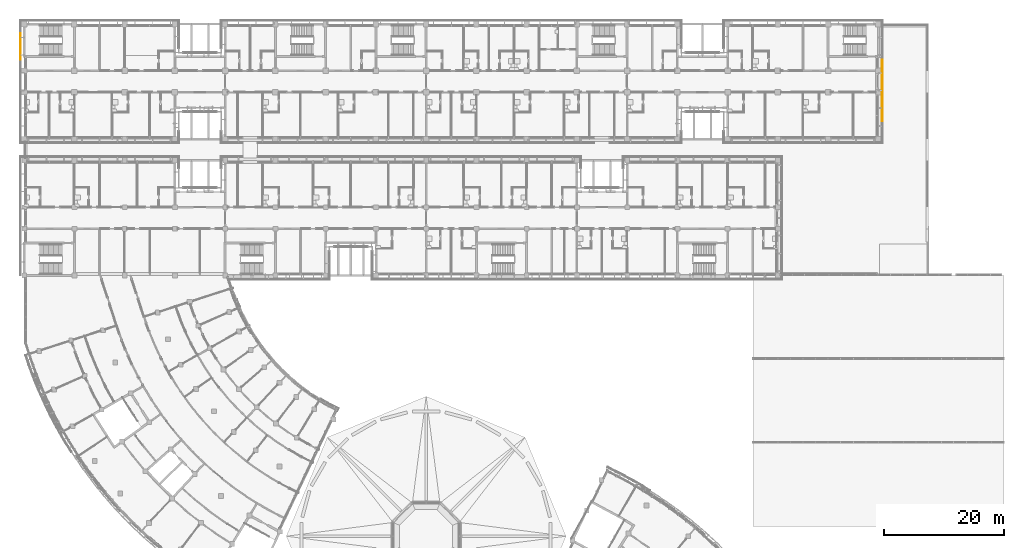
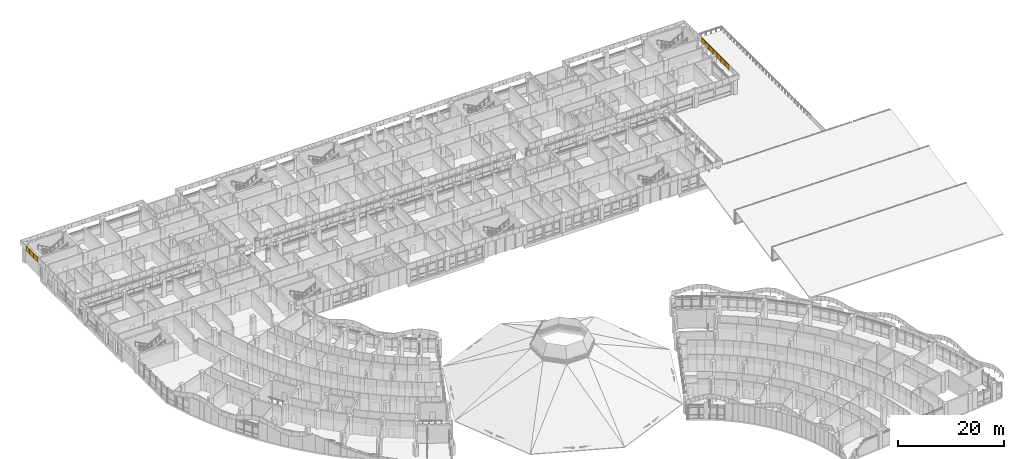
# One storey, part 133 of 137: 10 coverings.
"""IFC4 building model written with IfcOpenShell, lengths in metres."""

from ifc_helpers import new_model, si_unit, direction, frame, origin, place, context, subcontext, project, spatial, polyline, outline, extrude, material, layer, layer_set, type_object, element, save


model = new_model("IFC4")

# Units and contexts
model_context = context("Model", 3, precision=1e-05, world=origin(), true_north=direction((0.0, 1.0)))
body_context = subcontext(model_context, "Body", "Model", "MODEL_VIEW")
ifc_project = project(units=[si_unit("LENGTHUNIT", "METRE"), si_unit("AREAUNIT", "SQUARE_METRE"), si_unit("VOLUMEUNIT", "CUBIC_METRE"), si_unit("PLANEANGLEUNIT", "RADIAN"), si_unit("MASSUNIT", "GRAM", prefix="KILO")], contexts=[model_context])

# Site, building, storey
site_placement = place(None, origin())
site = spatial("IfcSite", under=ifc_project, at=site_placement, CompositionType="ELEMENT")
building_placement = place(site_placement, origin())
building = spatial("IfcBuilding", under=site, at=building_placement, Name="Bougainvillea Quay General Hospital", CompositionType="ELEMENT")
storey_placement = place(building_placement, frame((0.0, 0.0, 16.800048828125)))
storey = spatial("IfcBuildingStorey", under=building, at=storey_placement, Name="L03", CompositionType="ELEMENT", Elevation=16.800048828125)

# Coverings
ifc_material = material(Name="Powder-coated aluminium fascia, white", Category="aluminium")
ifc_layer = layer(ifc_material, 0.14990234375)
ifc_layer_set = layer_set([ifc_layer], Name="Powder-coated aluminium fascia, white")
covering_type = type_object("IfcCoveringType", Name="Aluminium fascia band white 150x1100", PredefinedType="CLADDING", material=ifc_layer_set)
covering_1_placement = place(storey_placement, frame((185.35009765625, 143.353759765625, 3.64990234375), z_axis=(0.0, 0.0, 1.0), x_axis=(0.0, 1.0, 0.0)))
element("IfcCovering", 1, at=covering_1_placement, inside=storey, type_object=covering_type, Name="Fascia band white e0 42", PredefinedType="CLADDING", context=body_context, shape_type="SweptSolid", body=[
    extrude(outline(polyline([(0.0, 0.0), (1.47705078125, 0.0), (1.47705078125, -0.14990234375), (0.0, -0.14990234375), (0.0, 0.0)])), origin(), (0.0, 0.0, 1.0), 1.10009765625),
])
covering_2_placement = place(storey_placement, frame((185.35009765625, 144.830810546875, 3.64990234375), z_axis=(0.0, 0.0, 1.0), x_axis=(0.0, 1.0, 0.0)))
element("IfcCovering", 2, at=covering_2_placement, inside=storey, type_object=covering_type, Name="Fascia band white e0 43", PredefinedType="CLADDING", context=body_context, shape_type="SweptSolid", body=[
    extrude(outline(polyline([(0.0, 0.0), (1.476806640625, 0.0), (1.476806640625, -0.14990234375), (0.0, -0.14990234375), (0.0, 0.0)])), origin(), (0.0, 0.0, 1.0), 1.10009765625),
])
covering_3_placement = place(storey_placement, frame((185.35009765625, 146.3076171875, 3.64990234375), z_axis=(0.0, 0.0, 1.0), x_axis=(0.0, 1.0, 0.0)))
element("IfcCovering", 3, at=covering_3_placement, inside=storey, type_object=covering_type, Name="Fascia band white e0 44", PredefinedType="CLADDING", context=body_context, shape_type="SweptSolid", body=[
    extrude(outline(polyline([(0.0, 0.0), (1.47705078125, 0.0), (1.47705078125, -0.14990234375), (0.0, -0.14990234375), (0.0, 0.0)])), origin(), (0.0, 0.0, 1.0), 1.10009765625),
])
covering_4_placement = place(storey_placement, frame((185.35009765625, 147.78466796875, 3.64990234375), z_axis=(0.0, 0.0, 1.0), x_axis=(0.0, 1.0, 0.0)))
element("IfcCovering", 4, at=covering_4_placement, inside=storey, type_object=covering_type, Name="Fascia band white e0 45", PredefinedType="CLADDING", context=body_context, shape_type="SweptSolid", body=[
    extrude(outline(polyline([(0.0, 0.0), (1.476806640625, 0.0), (1.476806640625, -0.14990234375), (0.0, -0.14990234375), (0.0, 0.0)])), origin(), (0.0, 0.0, 1.0), 1.10009765625),
])
covering_5_placement = place(storey_placement, frame((185.35009765625, 149.261474609375, 3.64990234375), z_axis=(0.0, 0.0, 1.0), x_axis=(0.0, 1.0, 0.0)))
element("IfcCovering", 5, at=covering_5_placement, inside=storey, type_object=covering_type, Name="Fascia band white e0 46", PredefinedType="CLADDING", context=body_context, shape_type="SweptSolid", body=[
    extrude(outline(polyline([(0.0, 0.0), (1.47705078125, 0.0), (1.47705078125, -0.14990234375), (0.0, -0.14990234375), (0.0, 0.0)])), origin(), (0.0, 0.0, 1.0), 1.10009765625),
])
covering_6_placement = place(storey_placement, frame((185.35009765625, 150.738525390625, 3.64990234375), z_axis=(0.0, 0.0, 1.0), x_axis=(0.0, 1.0, 0.0)))
element("IfcCovering", 6, at=covering_6_placement, inside=storey, type_object=covering_type, Name="Fascia band white e0 47", PredefinedType="CLADDING", context=body_context, shape_type="SweptSolid", body=[
    extrude(outline(polyline([(0.0, 0.0), (1.476806640625, 0.0), (1.476806640625, -0.14990234375), (0.0, -0.14990234375), (0.0, 0.0)])), origin(), (0.0, 0.0, 1.0), 1.10009765625),
])
covering_7_placement = place(storey_placement, frame((185.35009765625, 152.21533203125, 3.64990234375), z_axis=(0.0, 0.0, 1.0), x_axis=(0.0, 1.0, 0.0)))
element("IfcCovering", 7, at=covering_7_placement, inside=storey, type_object=covering_type, Name="Fascia band white e0 48", PredefinedType="CLADDING", context=body_context, shape_type="SweptSolid", body=[
    extrude(outline(polyline([(0.0, 0.0), (1.47705078125, 0.0), (1.47705078125, -0.14990234375), (0.0, -0.14990234375), (0.0, 0.0)])), origin(), (0.0, 0.0, 1.0), 1.10009765625),
])
covering_8_placement = place(storey_placement, frame((41.449951171875, 158.123046875, 3.64990234375), z_axis=(0.0, 0.0, 1.0), x_axis=(0.0, -1.0, 0.0)))
element("IfcCovering", 8, at=covering_8_placement, inside=storey, type_object=covering_type, Name="Fascia band white e0 167", PredefinedType="CLADDING", context=body_context, shape_type="SweptSolid", body=[
    extrude(outline(polyline([(0.0, 0.0), (1.476806640625, 0.0), (1.476806640625, -0.14990234375), (0.0, -0.14990234375), (0.0, 0.0)])), origin(), (0.0, 0.0, 1.0), 1.10009765625),
])
covering_9_placement = place(storey_placement, frame((41.449951171875, 156.646240234375, 3.64990234375), z_axis=(0.0, 0.0, 1.0), x_axis=(0.0, -1.0, 0.0)))
element("IfcCovering", 9, at=covering_9_placement, inside=storey, type_object=covering_type, Name="Fascia band white e0 168", PredefinedType="CLADDING", context=body_context, shape_type="SweptSolid", body=[
    extrude(outline(polyline([(0.0, 0.0), (1.47705078125, 0.0), (1.47705078125, -0.14990234375), (0.0, -0.14990234375), (0.0, 0.0)])), origin(), (0.0, 0.0, 1.0), 1.10009765625),
])
covering_10_placement = place(storey_placement, frame((41.449951171875, 155.169189453125, 3.64990234375), z_axis=(0.0, 0.0, 1.0), x_axis=(0.0, -1.0, 0.0)))
element("IfcCovering", 10, at=covering_10_placement, inside=storey, type_object=covering_type, Name="Fascia band white e0 169", PredefinedType="CLADDING", context=body_context, shape_type="SweptSolid", body=[
    extrude(outline(polyline([(0.0, 0.0), (1.476806640625, 0.0), (1.476806640625, -0.14990234375), (0.0, -0.14990234375), (0.0, 0.0)])), origin(), (0.0, 0.0, 1.0), 1.10009765625),
])

save(model, "model.ifc")
